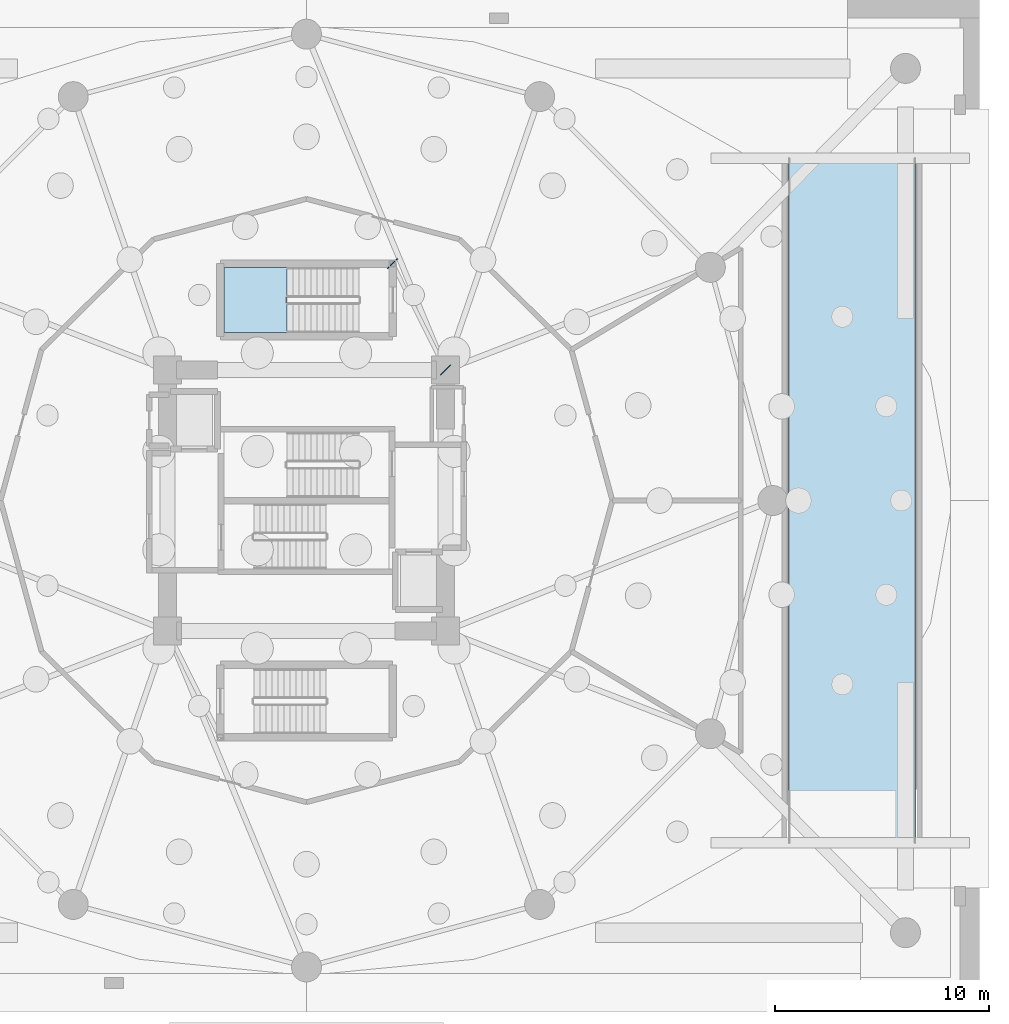
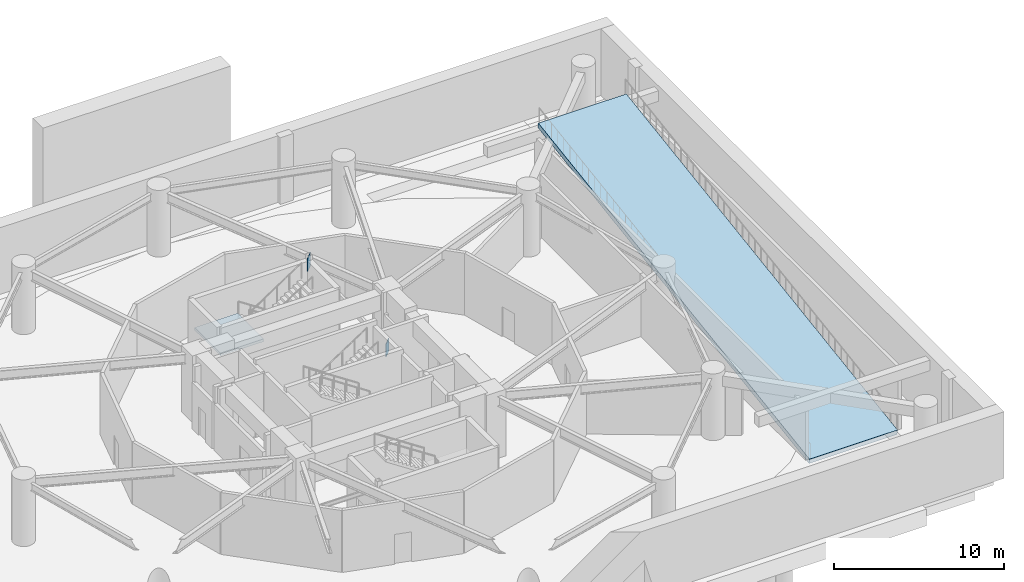
# One storey, part 6 of 12: 2 plates, 2 slabs, 1 element without a shape of its own.
"""IFC4 building model written with IfcOpenShell, lengths in metres."""

from ifc_helpers import new_model, si_unit, direction, frame, origin, origin_2d, place, context, subcontext, project, spatial, polyline, rectangle, outline, extrude, material, layer, layer_set, type_object, element, aggregate, save


model = new_model("IFC4")

# Units and contexts
model_context = context("Model", 3, precision=1e-05, world=origin(), true_north=direction((0.0, 1.0)))
body_context = subcontext(model_context, "Body", "Model", "MODEL_VIEW")
ifc_project = project(units=[si_unit("LENGTHUNIT", "METRE"), si_unit("AREAUNIT", "SQUARE_METRE"), si_unit("VOLUMEUNIT", "CUBIC_METRE"), si_unit("PLANEANGLEUNIT", "RADIAN"), si_unit("MASSUNIT", "GRAM", prefix="KILO")], contexts=[model_context])

# Site, building, storey
site_placement = place(None, origin())
site = spatial("IfcSite", under=ifc_project, at=site_placement, CompositionType="ELEMENT")
building_placement = place(site_placement, origin())
building = spatial("IfcBuilding", under=site, at=building_placement, Name="Solvirekh Grand Hotel", CompositionType="ELEMENT")
storey_placement = place(building_placement, frame((0.0, 0.0, -9.60009765625)))
storey = spatial("IfcBuildingStorey", under=building, at=storey_placement, Name="B02", CompositionType="ELEMENT", Elevation=-9.60009765625)

# Stair, slab
ifc_material_1 = material(Name="Steel S355", Category="steel")
stair_type = type_object("IfcStairType", Name="Stair_Grand_2000", PredefinedType="STRAIGHT_RUN_STAIR", material=ifc_material_1)
stair_placement = place(storey_placement, origin())
stair = element("IfcStair", 1, at=stair_placement, inside=storey, type_object=stair_type, Name="B02 Enclosed exit stair ST-4", PredefinedType="STRAIGHT_RUN_STAIR")
ifc_material_2 = material(Name="Concrete C40/50", Category="concrete")
ifc_layer_1 = layer(ifc_material_2, 0.219970703125)
ifc_layer_set_1 = layer_set([ifc_layer_1], Name="Concrete C40/50")
slab_type_1 = type_object("IfcSlabType", Name="Landing_PodStair_220", PredefinedType="LANDING", material=ifc_layer_set_1)
slab_1_placement = place(storey_placement, frame((0.0, 0.0, 2.2001953125)))
slab_1 = element("IfcSlab", 2, at=slab_1_placement, type_object=slab_type_1, Name="ST-4 landing 1", PredefinedType="LANDING", context=body_context, shape_type="SweptSolid", body=[
    extrude(outline(polyline([(-0.909912109375, 10.89990234375), (-3.85009765625, 10.89990234375), (-3.85009765625, 7.85009765625), (-0.909912109375, 7.85009765625), (-0.909912109375, 10.89990234375)])), origin(), (0.0, 0.0, 1.0), 0.199951171875),
])
aggregate(stair, [slab_1])

# Plates
ifc_layer_2 = layer(ifc_material_1, 0.0400390625)
ifc_layer_set_2 = layer_set([ifc_layer_2], Name="Steel S355")
plate_type = type_object("IfcPlateType", Name="NodeCapPlate_40", PredefinedType="SHEET", material=ifc_layer_set_2)
for number, where, z_axis, x_axis, name in (
    (3, (6.5, 6.10009765625, -0.22509765625), (0.0, 0.0, 1.0), (-0.707106781187, 0.707106781187, 0.0), "B02 hollow-section node plate NP-B02-SG4A"),
    (4, (4.02490234375, 11.074951171875, 3.77490234375), (0.0, 0.0, 1.0), (-0.707106781187, 0.707106781187, 0.0), "B02 hollow-section node plate NP-B02-SG4B"),
):
    element("IfcPlate", number, at=place(storey_placement, frame(where, z_axis=z_axis, x_axis=x_axis)), inside=storey, type_object=plate_type, Name=name, PredefinedType="SHEET", context=body_context, shape_type="SweptSolid", body=[
        extrude(rectangle(XDim=0.0400390625, YDim=0.64990234375, at=origin_2d()), origin(), (0.0, 0.0, 1.0), 0.949951171875),
    ])

# Slab
ifc_layer_3 = layer(ifc_material_2, 0.35009765625)
ifc_layer_set_3 = layer_set([ifc_layer_3], Name="Concrete C40/50")
slab_type_2 = type_object("IfcSlabType", Name="Slab_VehRamp_350", PredefinedType="FLOOR", material=ifc_layer_set_3)
slab_2_placement = place(storey_placement, frame((22.5, -16.0, 0.0), z_axis=(0.0, -0.148341928722, 0.988936131498), x_axis=(1.0, 0.0, 0.0)))
element("IfcSlab", 5, at=slab_2_placement, inside=storey, type_object=slab_type_2, Name="Car park vehicle ramp R1 structural slab (B02)", PredefinedType="FLOOR", context=body_context, shape_type="SweptSolid", body=[
    extrude(outline(polyline([(0.0, 0.0), (6.0, 0.0), (6.0, 32.35800470907291), (0.0, 32.35800470907291), (0.0, 0.0)])), origin(), (0.0, 0.0, -1.0), 0.35009765625),
])

save(model, "model.ifc")
